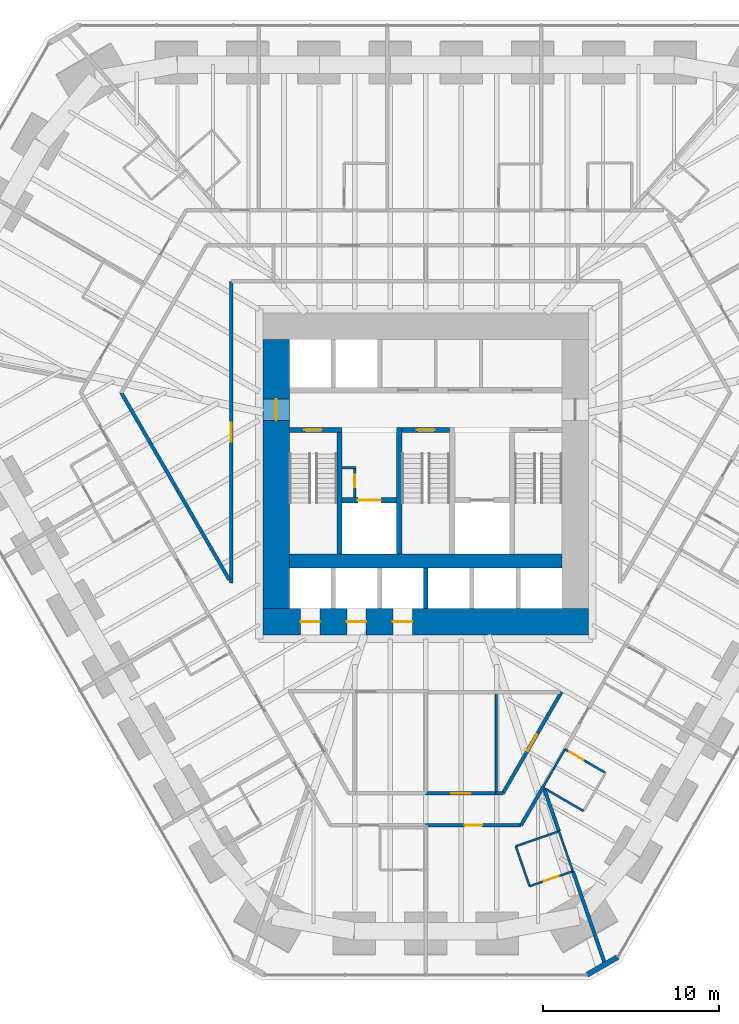
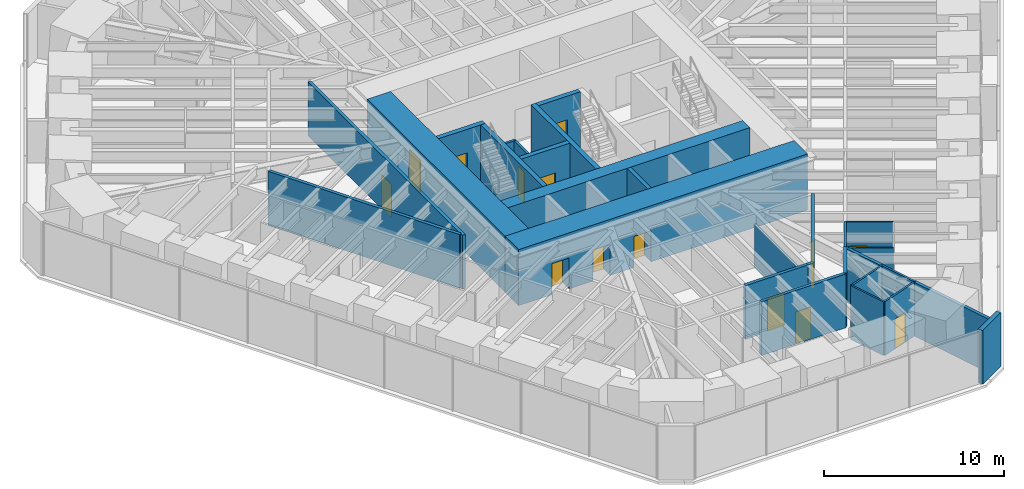
# One storey, part 12 of 17: 29 walls, 14 doors, 14 openings.
"""IFC4 building model written with IfcOpenShell, lengths in metres."""

from ifc_helpers import new_model, si_unit, direction, frame, frame_2d, origin, place, context, subcontext, project, spatial, rectangle, extrude, material, layer, layer_set, type_object, element, fill, save


model = new_model("IFC4")

# Units and contexts
model_context = context("Model", 3, precision=1e-05, world=origin(), true_north=direction((0.0, 1.0)))
body_context = subcontext(model_context, "Body", "Model", "MODEL_VIEW")
ifc_project = project(units=[si_unit("LENGTHUNIT", "METRE"), si_unit("AREAUNIT", "SQUARE_METRE"), si_unit("VOLUMEUNIT", "CUBIC_METRE"), si_unit("PLANEANGLEUNIT", "RADIAN"), si_unit("MASSUNIT", "GRAM", prefix="KILO")], contexts=[model_context])

# Site, building, storey
site_placement = place(None, origin())
site = spatial("IfcSite", under=ifc_project, at=site_placement, CompositionType="ELEMENT")
building_placement = place(site_placement, origin())
building = spatial("IfcBuilding", under=site, at=building_placement, Name="Sandreach Pilgrim Tower", CompositionType="ELEMENT")
storey_placement = place(building_placement, frame((0.0, 0.0, 80.0)))
storey = spatial("IfcBuildingStorey", under=building, at=storey_placement, Name="L19", CompositionType="ELEMENT", Elevation=80.0)

# Walls
ifc_material_1 = material(Name="Gypsum board on steel studs", Category="steel")
ifc_layer_1 = layer(ifc_material_1, 0.14990234375)
ifc_layer_set_1 = layer_set([ifc_layer_1], Name="Back of house wall 150")
wall_type_1 = type_object("IfcWallType", Name="Back of house wall 150", PredefinedType="PARTITIONING", material=ifc_layer_set_1)
wall_1_placement = place(storey_placement, frame((4.0, -13.949951171875, 0.0), z_axis=(0.0, 0.0, 1.0), x_axis=(0.0, -1.0, 0.0)))
element("IfcWall", 1, at=wall_1_placement, inside=storey, type_object=wall_type_1, Name="Back of house wall L19-082", PredefinedType="PARTITIONING", context=body_context, shape_type="SweptSolid", body=[
    extrude(rectangle(XDim=5.760009765625, YDim=0.14990234375, at=frame_2d((2.8798828125, 0.0))), origin(), (0.0, 0.0, 1.0), 2.8779296875),
])
ifc_material_2 = material(Name="Moisture-resistant gypsum board on steel studs", Category="steel")
ifc_layer_2 = layer(ifc_material_2, 0.1201171875)
ifc_layer_set_2 = layer_set([ifc_layer_2], Name="Bathroom partition 120")
wall_type_2 = type_object("IfcWallType", Name="Bathroom partition 120", PredefinedType="PARTITIONING", material=ifc_layer_set_2)
wall_2_placement = place(storey_placement, frame((5.1201171875, -22.7099609375, 0.0), z_axis=(0.0, 0.0, 1.0), x_axis=(0.324880771143, -0.945754981241, 0.0)))
element("IfcWall", 2, at=wall_2_placement, inside=storey, type_object=wall_type_2, Name="Bathroom partition L19-087", PredefinedType="PARTITIONING", context=body_context, shape_type="SweptSolid", body=[
    extrude(rectangle(XDim=2.400146484375, YDim=0.1201171875, at=frame_2d((1.2001953125, 0.0))), origin(), (0.0, 0.0, 1.0), 3.639892578125),
])

# Wall, opening, door
wall_3_placement = place(storey_placement, frame((5.89990234375, -24.97998046875, 0.0), z_axis=(0.0, 0.0, 1.0), x_axis=(0.945165466094, 0.326591857987, 0.0)))
wall_3 = element("IfcWall", 3, at=wall_3_placement, inside=storey, type_object=wall_type_2, Name="Bathroom partition L19-089", PredefinedType="PARTITIONING", context=body_context, shape_type="SweptSolid", body=[
    extrude(rectangle(XDim=2.60302734375, YDim=0.1201171875, at=frame_2d((1.301513671875, 0.0))), origin(), (0.0, 0.0, 1.0), 3.639892578125),
])
opening_1_placement = place(wall_3_placement, frame((0.85009765625, 0.0, 0.0)))
opening_1 = element("IfcOpeningElement", 4, at=opening_1_placement, cuts=wall_3, Name="Opening D09-11B", PredefinedType="OPENING", context=body_context, shape_type="SweptSolid", body=[
    extrude(rectangle(XDim=0.89990234375, YDim=2.030029296875, at=frame_2d((0.449951171875, 1.01513671875))), frame((0.0, 0.06005859375, 0.0), z_axis=(0.0, -1.0, 0.0), x_axis=(1.0, 0.0, 0.0)), (0.0, 0.0, 1.0), 0.1201171875),
])
ifc_material_3 = material(Name="Timber door, steel frame", Category="steel")
door_type_1 = type_object("IfcDoorType", Name="Bathroom door", OperationType="SINGLE_SWING_LEFT", PredefinedType="DOOR", material=ifc_material_3)
door_1_placement = place(opening_1_placement, origin())
door_1 = element("IfcDoor", 5, at=door_1_placement, inside=storey, type_object=door_type_1, Name="Door 1911B", OperationType="SINGLE_SWING_LEFT", OverallHeight=2.030029296875, OverallWidth=0.89990234375, PredefinedType="DOOR", context=body_context, shape_type="SweptSolid", body=[
    extrude(rectangle(XDim=0.89990234375, YDim=2.030029296875, at=frame_2d((0.449951171875, 1.01513671875))), frame((0.0, 0.02490234375, 0.0), z_axis=(0.0, -1.0, 0.0), x_axis=(1.0, 0.0, 0.0)), (0.0, 0.0, 1.0), 0.050048828125),
])
fill(opening_1, door_1)

# Walls
wall_4_placement = place(storey_placement, frame((6.68994140625, -19.31005859375, 0.0), z_axis=(0.0, 0.0, 1.0), x_axis=(0.500522890398, 0.865723302324, 0.0)))
element("IfcWall", 6, at=wall_4_placement, inside=storey, type_object=wall_type_2, Name="Bathroom partition L19-094", PredefinedType="PARTITIONING", context=body_context, shape_type="SweptSolid", body=[
    extrude(rectangle(XDim=2.4375, YDim=0.1201171875, at=frame_2d((1.21875, 0.0))), origin(), (0.0, 0.0, 1.0), 3.639892578125),
])
wall_5_placement = place(storey_placement, frame((6.807861328125, -19.455078125, 0.0), z_axis=(0.0, 0.0, 1.0), x_axis=(0.864881956308, -0.501975299844, 0.0)))
element("IfcWall", 7, at=wall_5_placement, inside=storey, type_object=wall_type_2, Name="Bathroom partition L19-095", PredefinedType="PARTITIONING", context=body_context, shape_type="SweptSolid", body=[
    extrude(rectangle(XDim=2.5, YDim=0.1201171875, at=frame_2d((1.25, 0.0))), origin(), (0.0, 0.0, 1.0), 3.639892578125),
])
wall_6_placement = place(storey_placement, frame((7.570068359375, -21.860107421875, 0.0), z_axis=(0.0, 0.0, 1.0), x_axis=(-0.944782191137, -0.327698964463, 0.0)))
element("IfcWall", 8, at=wall_6_placement, inside=storey, type_object=wall_type_2, Name="Bathroom partition L19-096", PredefinedType="PARTITIONING", context=body_context, shape_type="SweptSolid", body=[
    extrude(rectangle(XDim=2.593505859375, YDim=0.1201171875, at=frame_2d((1.296875, 0.0))), origin(), (0.0, 0.0, 1.0), 3.639892578125),
])
wall_7_placement = place(storey_placement, frame((7.570068359375, -21.860107421875, 0.0), z_axis=(0.0, 0.0, 1.0), x_axis=(0.328725498061, -0.944425511581, 0.0)))
element("IfcWall", 9, at=wall_7_placement, inside=storey, type_object=wall_type_2, Name="Bathroom partition L19-098", PredefinedType="PARTITIONING", context=body_context, shape_type="SweptSolid", body=[
    extrude(rectangle(XDim=2.4033203125, YDim=0.1201171875, at=frame_2d((1.20166015625, 0.0))), origin(), (0.0, 0.0, 1.0), 3.639892578125),
])

# Wall, opening, door
wall_8_placement = place(storey_placement, frame((10.219970703125, -18.5400390625, 0.0), z_axis=(0.0, 0.0, 1.0), x_axis=(-0.86498992408, 0.501789229896, 0.0)))
wall_8 = element("IfcWall", 10, at=wall_8_placement, inside=storey, type_object=wall_type_2, Name="Bathroom partition L19-110", PredefinedType="PARTITIONING", context=body_context, shape_type="SweptSolid", body=[
    extrude(rectangle(XDim=2.670654296875, YDim=0.1201171875, at=frame_2d((1.33544921875, 0.0))), origin(), (0.0, 0.0, 1.0), 3.639892578125),
])
opening_2_placement = place(wall_8_placement, frame((1.470458984375, 0.0, 0.0)))
opening_2 = element("IfcOpeningElement", 11, at=opening_2_placement, cuts=wall_8, Name="Opening D09-10B", PredefinedType="OPENING", context=body_context, shape_type="SweptSolid", body=[
    extrude(rectangle(XDim=0.89990234375, YDim=2.030029296875, at=frame_2d((0.449951171875, 1.01513671875))), frame((0.0, 0.06005859375, 0.0), z_axis=(0.0, -1.0, 0.0), x_axis=(1.0, 0.0, 0.0)), (0.0, 0.0, 1.0), 0.1201171875),
])
door_2_placement = place(opening_2_placement, origin())
door_2 = element("IfcDoor", 12, at=door_2_placement, inside=storey, type_object=door_type_1, Name="Door 1910B", OperationType="SINGLE_SWING_RIGHT", OverallHeight=2.030029296875, OverallWidth=0.89990234375, PredefinedType="DOOR", context=body_context, shape_type="SweptSolid", body=[
    extrude(rectangle(XDim=0.89990234375, YDim=2.030029296875, at=frame_2d((0.449951171875, 1.01513671875))), frame((0.0, 0.02490234375, 0.0), z_axis=(0.0, -1.0, 0.0), x_axis=(1.0, 0.0, 0.0)), (0.0, 0.0, 1.0), 0.050048828125),
])
fill(opening_2, door_2)

# Walls
ifc_material_4 = material(Name="Concrete 10000 psi", Category="concrete")
ifc_layer_3 = layer(ifc_material_4, 0.300048828125)
ifc_layer_set_3 = layer_set([ifc_layer_3], Name="Core inner wall 300")
wall_type_3 = type_object("IfcWallType", Name="Core inner wall 300", PredefinedType="SHEAR", material=ifc_layer_set_3)
for number, where, z_axis, x_axis, name in (
    (13, (-4.89990234375, -6.10009765625, 0.0), (0.0, 0.0, 1.0), (0.0, 1.0, 0.0), "Core wall I0 L19"),
    (14, (-1.5, -6.10009765625, 0.0), (0.0, 0.0, 1.0), (0.0, 1.0, 0.0), "Core wall I1 L19"),
):
    element("IfcWall", number, at=place(storey_placement, frame(where, z_axis=z_axis, x_axis=x_axis)), inside=storey, type_object=wall_type_3, Name=name, PredefinedType="SHEAR", context=body_context, shape_type="SweptSolid", body=[
        extrude(rectangle(XDim=7.2001953125, YDim=0.300048828125, at=frame_2d((3.60009765625, 0.0))), origin(), (0.0, 0.0, 1.0), 3.800048828125),
    ])

# Wall, opening, door
wall_9_placement = place(storey_placement, frame((-7.75, 0.949951171875, 0.0), z_axis=(0.0, 0.0, 1.0), x_axis=(1.0, 0.0, 0.0)))
wall_9 = element("IfcWall", 15, at=wall_9_placement, inside=storey, type_object=wall_type_3, Name="Core wall SN1 L19", PredefinedType="SHEAR", context=body_context, shape_type="SweptSolid", body=[
    extrude(rectangle(XDim=3.0, YDim=0.300048828125, at=frame_2d((1.5, 0.0))), origin(), (0.0, 0.0, 1.0), 3.800048828125),
])
opening_3_placement = place(wall_9_placement, frame((0.85009765625, 0.0, 0.0)))
opening_3 = element("IfcOpeningElement", 16, at=opening_3_placement, cuts=wall_9, Name="Opening D10S-ST1", PredefinedType="OPENING", context=body_context, shape_type="SweptSolid", body=[
    extrude(rectangle(XDim=1.0, YDim=2.199951171875, at=frame_2d((0.5, 1.10009765625))), frame((0.0, 0.14990234375, 0.0), z_axis=(0.0, -1.0, 0.0), x_axis=(1.0, 0.0, 0.0)), (0.0, 0.0, 1.0), 0.300048828125),
])
ifc_material_5 = material(Name="Steel door and frame", Category="steel")
door_type_2 = type_object("IfcDoorType", Name="Stair door", OperationType="SINGLE_SWING_LEFT", PredefinedType="DOOR", material=ifc_material_5)
door_3_placement = place(opening_3_placement, origin())
door_3 = element("IfcDoor", 17, at=door_3_placement, inside=storey, type_object=door_type_2, Name="Stair door ST1 L19", OperationType="SINGLE_SWING_LEFT", OverallHeight=2.199951171875, OverallWidth=1.0, PredefinedType="DOOR", context=body_context, shape_type="SweptSolid", body=[
    extrude(rectangle(XDim=1.0, YDim=2.199951171875, at=frame_2d((0.5, 1.10009765625))), frame((0.0, 0.02490234375, 0.0), z_axis=(0.0, -1.0, 0.0), x_axis=(1.0, 0.0, 0.0)), (0.0, 0.0, 1.0), 0.050048828125),
])
fill(opening_3, door_3)

wall_10_placement = place(storey_placement, frame((-1.35009765625, 0.949951171875, 0.0), z_axis=(0.0, 0.0, 1.0), x_axis=(1.0, 0.0, 0.0)))
wall_10 = element("IfcWall", 18, at=wall_10_placement, inside=storey, type_object=wall_type_3, Name="Core wall SN3 L19", PredefinedType="SHEAR", context=body_context, shape_type="SweptSolid", body=[
    extrude(rectangle(XDim=2.7001953125, YDim=0.300048828125, at=frame_2d((1.35009765625, 0.0))), origin(), (0.0, 0.0, 1.0), 3.800048828125),
])
opening_4_placement = place(wall_10_placement, frame((0.85009765625, 0.0, 0.0)))
opening_4 = element("IfcOpeningElement", 19, at=opening_4_placement, cuts=wall_10, Name="Opening D10S-ST3", PredefinedType="OPENING", context=body_context, shape_type="SweptSolid", body=[
    extrude(rectangle(XDim=1.0, YDim=2.199951171875, at=frame_2d((0.5, 1.10009765625))), frame((0.0, 0.14990234375, 0.0), z_axis=(0.0, -1.0, 0.0), x_axis=(1.0, 0.0, 0.0)), (0.0, 0.0, 1.0), 0.300048828125),
])
door_4_placement = place(opening_4_placement, origin())
door_4 = element("IfcDoor", 20, at=door_4_placement, inside=storey, type_object=door_type_2, Name="Stair door ST3 L19", OperationType="SINGLE_SWING_LEFT", OverallHeight=2.199951171875, OverallWidth=1.0, PredefinedType="DOOR", context=body_context, shape_type="SweptSolid", body=[
    extrude(rectangle(XDim=1.0, YDim=2.199951171875, at=frame_2d((0.5, 1.10009765625))), frame((0.0, 0.02490234375, 0.0), z_axis=(0.0, -1.0, 0.0), x_axis=(1.0, 0.0, 0.0)), (0.0, 0.0, 1.0), 0.050048828125),
])
fill(opening_4, door_4)

wall_11_placement = place(storey_placement, frame((-4.75, -3.050048828125, 0.0), z_axis=(0.0, 0.0, 1.0), x_axis=(1.0, 0.0, 0.0)))
wall_11 = element("IfcWall", 21, at=wall_11_placement, inside=storey, type_object=wall_type_3, Name="Core wall FL1 L19", PredefinedType="SHEAR", context=body_context, shape_type="SweptSolid", body=[
    extrude(rectangle(XDim=3.10009765625, YDim=0.300048828125, at=frame_2d((1.550048828125, 0.0))), origin(), (0.0, 0.0, 1.0), 3.800048828125),
])
opening_5_placement = place(wall_11_placement, frame((0.89990234375, 0.0, 0.0)))
opening_5 = element("IfcOpeningElement", 22, at=opening_5_placement, cuts=wall_11, Name="Opening LD13", PredefinedType="OPENING", context=body_context, shape_type="SweptSolid", body=[
    extrude(rectangle(XDim=1.300048828125, YDim=2.10009765625, at=frame_2d((0.64990234375, 1.050048828125))), frame((0.0, 0.14990234375, 0.0), z_axis=(0.0, -1.0, 0.0), x_axis=(1.0, 0.0, 0.0)), (0.0, 0.0, 1.0), 0.300048828125),
])
ifc_material_6 = material(Name="Steel door and frame", Category="steel")
door_type_3 = type_object("IfcDoorType", Name="Fire service lift landing door", OperationType="DOUBLE_DOOR_SLIDING", PredefinedType="DOOR", material=ifc_material_6)
door_5_placement = place(opening_5_placement, origin())
door_5 = element("IfcDoor", 23, at=door_5_placement, inside=storey, type_object=door_type_3, Name="Lift landing door FS1 L19", OperationType="DOUBLE_DOOR_SLIDING", OverallHeight=2.10009765625, OverallWidth=1.300048828125, PredefinedType="DOOR", context=body_context, shape_type="SweptSolid", body=[
    extrude(rectangle(XDim=1.300048828125, YDim=2.10009765625, at=frame_2d((0.64990234375, 1.050048828125))), frame((0.0, 0.02490234375, 0.0), z_axis=(0.0, -1.0, 0.0), x_axis=(1.0, 0.0, 0.0)), (0.0, 0.0, 1.0), 0.050048828125),
])
fill(opening_5, door_5)

# Wall
ifc_material_7 = material(Name="Concrete 10000 psi", Category="concrete")
ifc_layer_4 = layer(ifc_material_7, 0.800048828125)
ifc_layer_set_4 = layer_set([ifc_layer_4], Name="Core mid wall 800")
wall_type_4 = type_object("IfcWallType", Name="Core mid wall 800", PredefinedType="SHEAR", material=ifc_layer_set_4)
wall_12_placement = place(storey_placement, frame((-7.75, -6.5, 0.0), z_axis=(0.0, 0.0, 1.0), x_axis=(1.0, 0.0, 0.0)))
element("IfcWall", 24, at=wall_12_placement, inside=storey, type_object=wall_type_4, Name="Core wall M L19", PredefinedType="SHEAR", context=body_context, shape_type="SweptSolid", body=[
    extrude(rectangle(XDim=15.5, YDim=0.800048828125, at=frame_2d((7.75, 0.0))), origin(), (0.0, 0.0, 1.0), 3.800048828125),
])

# Wall, openings, doors
ifc_material_8 = material(Name="Concrete 10000 psi", Category="concrete")
ifc_layer_5 = layer(ifc_material_8, 1.5)
ifc_layer_set_5 = layer_set([ifc_layer_5], Name="Core wall 1500")
wall_type_5 = type_object("IfcWallType", Name="Core wall 1500", PredefinedType="SHEAR", material=ifc_layer_set_5)
wall_13_placement = place(storey_placement, frame((-9.25, -9.949951171875, 0.0), z_axis=(0.0, 0.0, 1.0), x_axis=(1.0, 0.0, 0.0)))
wall_13 = element("IfcWall", 25, at=wall_13_placement, inside=storey, type_object=wall_type_5, Name="Core wall S L19", PredefinedType="SHEAR", context=body_context, shape_type="SweptSolid", body=[
    extrude(rectangle(XDim=18.5, YDim=1.5, at=frame_2d((9.25, 0.0))), origin(), (0.0, 0.0, 1.0), 3.800048828125),
])
opening_6_placement = place(wall_13_placement, frame((2.137451171875, 0.0, 0.0)))
opening_6 = element("IfcOpeningElement", 26, at=opening_6_placement, cuts=wall_13, Name="Opening LD11", PredefinedType="OPENING", context=body_context, shape_type="SweptSolid", body=[
    extrude(rectangle(XDim=1.10009765625, YDim=2.10009765625, at=frame_2d((0.550048828125, 1.050048828125))), frame((0.0, 0.75, 0.0), z_axis=(0.0, -1.0, 0.0), x_axis=(1.0, 0.0, 0.0)), (0.0, 0.0, 1.0), 1.5),
])
opening_7_placement = place(wall_13_placement, frame((4.762451171875, 0.0, 0.0)))
opening_7 = element("IfcOpeningElement", 27, at=opening_7_placement, cuts=wall_13, Name="Opening LD11", PredefinedType="OPENING", context=body_context, shape_type="SweptSolid", body=[
    extrude(rectangle(XDim=1.10009765625, YDim=2.10009765625, at=frame_2d((0.550048828125, 1.050048828125))), frame((0.0, 0.75, 0.0), z_axis=(0.0, -1.0, 0.0), x_axis=(1.0, 0.0, 0.0)), (0.0, 0.0, 1.0), 1.5),
])
opening_8_placement = place(wall_13_placement, frame((7.387451171875, 0.0, 0.0)))
opening_8 = element("IfcOpeningElement", 28, at=opening_8_placement, cuts=wall_13, Name="Opening LD11", PredefinedType="OPENING", context=body_context, shape_type="SweptSolid", body=[
    extrude(rectangle(XDim=1.10009765625, YDim=2.10009765625, at=frame_2d((0.550048828125, 1.050048828125))), frame((0.0, 0.75, 0.0), z_axis=(0.0, -1.0, 0.0), x_axis=(1.0, 0.0, 0.0)), (0.0, 0.0, 1.0), 1.5),
])
ifc_material_9 = material(Name="Steel door and frame", Category="steel")
door_type_4 = type_object("IfcDoorType", Name="Lift landing door", OperationType="DOUBLE_DOOR_SLIDING", PredefinedType="DOOR", material=ifc_material_9)
door_6_placement = place(opening_6_placement, origin())
door_6 = element("IfcDoor", 29, at=door_6_placement, inside=storey, type_object=door_type_4, Name="Lift landing door Z1A L19", OperationType="DOUBLE_DOOR_SLIDING", OverallHeight=2.10009765625, OverallWidth=1.10009765625, PredefinedType="DOOR", context=body_context, shape_type="SweptSolid", body=[
    extrude(rectangle(XDim=1.10009765625, YDim=2.10009765625, at=frame_2d((0.550048828125, 1.050048828125))), frame((0.0, 0.02490234375, 0.0), z_axis=(0.0, -1.0, 0.0), x_axis=(1.0, 0.0, 0.0)), (0.0, 0.0, 1.0), 0.050048828125),
])
fill(opening_6, door_6)
door_7_placement = place(opening_7_placement, origin())
door_7 = element("IfcDoor", 30, at=door_7_placement, inside=storey, type_object=door_type_4, Name="Lift landing door Z1B L19", OperationType="DOUBLE_DOOR_SLIDING", OverallHeight=2.10009765625, OverallWidth=1.10009765625, PredefinedType="DOOR", context=body_context, shape_type="SweptSolid", body=[
    extrude(rectangle(XDim=1.10009765625, YDim=2.10009765625, at=frame_2d((0.550048828125, 1.050048828125))), frame((0.0, 0.02490234375, 0.0), z_axis=(0.0, -1.0, 0.0), x_axis=(1.0, 0.0, 0.0)), (0.0, 0.0, 1.0), 0.050048828125),
])
fill(opening_7, door_7)
door_8_placement = place(opening_8_placement, origin())
door_8 = element("IfcDoor", 31, at=door_8_placement, inside=storey, type_object=door_type_4, Name="Lift landing door Z1C L19", OperationType="DOUBLE_DOOR_SLIDING", OverallHeight=2.10009765625, OverallWidth=1.10009765625, PredefinedType="DOOR", context=body_context, shape_type="SweptSolid", body=[
    extrude(rectangle(XDim=1.10009765625, YDim=2.10009765625, at=frame_2d((0.550048828125, 1.050048828125))), frame((0.0, 0.02490234375, 0.0), z_axis=(0.0, -1.0, 0.0), x_axis=(1.0, 0.0, 0.0)), (0.0, 0.0, 1.0), 0.050048828125),
])
fill(opening_8, door_8)

# Wall, opening, door
wall_14_placement = place(storey_placement, frame((-8.5, -9.199951171875, 0.0), z_axis=(0.0, 0.0, 1.0), x_axis=(0.0, 1.0, 0.0)))
wall_14 = element("IfcWall", 32, at=wall_14_placement, inside=storey, type_object=wall_type_5, Name="Core wall W L19", PredefinedType="SHEAR", context=body_context, shape_type="SweptSolid", body=[
    extrude(rectangle(XDim=15.300048828125, YDim=1.5, at=frame_2d((7.64990234375, 0.0))), origin(), (0.0, 0.0, 1.0), 3.800048828125),
])
opening_9_placement = place(wall_14_placement, frame((10.699951171875, 0.0, 0.0)))
opening_9 = element("IfcOpeningElement", 33, at=opening_9_placement, cuts=wall_14, Name="Opening D12F-W", PredefinedType="OPENING", context=body_context, shape_type="SweptSolid", body=[
    extrude(rectangle(XDim=1.199951171875, YDim=2.199951171875, at=frame_2d((0.60009765625, 1.10009765625))), frame((0.0, 0.75, 0.0), z_axis=(0.0, -1.0, 0.0), x_axis=(1.0, 0.0, 0.0)), (0.0, 0.0, 1.0), 1.5),
])
ifc_material_10 = material(Name="Steel door and frame", Category="steel")
door_type_5 = type_object("IfcDoorType", Name="Fire lobby door", OperationType="SINGLE_SWING_LEFT", PredefinedType="DOOR", material=ifc_material_10)
door_9_placement = place(opening_9_placement, origin())
door_9 = element("IfcDoor", 34, at=door_9_placement, inside=storey, type_object=door_type_5, Name="Fire service lobby door W L19", OperationType="SINGLE_SWING_RIGHT", OverallHeight=2.199951171875, OverallWidth=1.199951171875, PredefinedType="DOOR", context=body_context, shape_type="SweptSolid", body=[
    extrude(rectangle(XDim=1.199951171875, YDim=2.199951171875, at=frame_2d((0.60009765625, 1.10009765625))), frame((0.0, 0.02490234375, 0.0), z_axis=(0.0, -1.0, 0.0), x_axis=(1.0, 0.0, 0.0)), (0.0, 0.0, 1.0), 0.050048828125),
])
fill(opening_9, door_9)

# Wall
ifc_material_11 = material(Name="Gypsum board on steel studs, two layers each side", Category="steel")
ifc_layer_6 = layer(ifc_material_11, 0.199951171875)
ifc_layer_set_6 = layer_set([ifc_layer_6], Name="Corridor wall 200")
wall_type_6 = type_object("IfcWallType", Name="Corridor wall 200", PredefinedType="PARTITIONING", material=ifc_layer_set_6)
wall_15_placement = place(storey_placement, frame((-11.16015625, -7.569580078125, 0.0), z_axis=(0.0, 0.0, 1.0), x_axis=(-0.500175206663, 0.865924224537, 0.0)))
element("IfcWall", 35, at=wall_15_placement, inside=storey, type_object=wall_type_6, Name="Corridor wall L19-043", PredefinedType="PARTITIONING", context=body_context, shape_type="SweptSolid", body=[
    extrude(rectangle(XDim=12.275390625, YDim=0.199951171875, at=frame_2d((6.1376953125, 0.0))), origin(), (0.0, 0.0, 1.0), 3.639892578125),
])

# Wall, opening, door
wall_16_placement = place(storey_placement, frame((-11.050048828125, 9.39990234375, 0.0), z_axis=(0.0, 0.0, 1.0), x_axis=(0.0, -1.0, 0.0)))
wall_16 = element("IfcWall", 36, at=wall_16_placement, inside=storey, type_object=wall_type_6, Name="Corridor wall L19-045", PredefinedType="PARTITIONING", context=body_context, shape_type="SweptSolid", body=[
    extrude(rectangle(XDim=17.159912109375, YDim=0.199951171875, at=frame_2d((8.580078125, 0.0))), origin(), (0.0, 0.0, 1.0), 3.639892578125),
])
opening_10_placement = place(wall_16_placement, frame((8.030029296875, 0.0, 0.0)))
opening_10 = element("IfcOpeningElement", 37, at=opening_10_placement, cuts=wall_16, Name="Opening D11H-M01", PredefinedType="OPENING", context=body_context, shape_type="SweptSolid", body=[
    extrude(rectangle(XDim=1.10009765625, YDim=2.199951171875, at=frame_2d((0.550048828125, 1.10009765625))), frame((0.0, 0.10009765625, 0.0), z_axis=(0.0, -1.0, 0.0), x_axis=(1.0, 0.0, 0.0)), (0.0, 0.0, 1.0), 0.199951171875),
])
ifc_material_12 = material(Name="Steel door and frame", Category="steel")
door_type_6 = type_object("IfcDoorType", Name="Back of house door", OperationType="SINGLE_SWING_LEFT", PredefinedType="DOOR", material=ifc_material_12)
door_10_placement = place(opening_10_placement, origin())
door_10 = element("IfcDoor", 38, at=door_10_placement, inside=storey, type_object=door_type_6, Name="Door 19M01", OperationType="SINGLE_SWING_LEFT", OverallHeight=2.199951171875, OverallWidth=1.10009765625, PredefinedType="DOOR", context=body_context, shape_type="SweptSolid", body=[
    extrude(rectangle(XDim=1.10009765625, YDim=2.199951171875, at=frame_2d((0.550048828125, 1.10009765625))), frame((0.0, 0.02490234375, 0.0), z_axis=(0.0, -1.0, 0.0), x_axis=(1.0, 0.0, 0.0)), (0.0, 0.0, 1.0), 0.050048828125),
])
fill(opening_10, door_10)

wall_17_placement = place(storey_placement, frame((0.0, -21.510009765625, 0.0), z_axis=(0.0, 0.0, 1.0), x_axis=(1.0, 0.0, 0.0)))
wall_17 = element("IfcWall", 39, at=wall_17_placement, inside=storey, type_object=wall_type_6, Name="Corridor wall L19-073", PredefinedType="PARTITIONING", context=body_context, shape_type="SweptSolid", body=[
    extrude(rectangle(XDim=5.419921875, YDim=0.199951171875, at=frame_2d((2.7099609375, 0.0))), origin(), (0.0, 0.0, 1.0), 3.639892578125),
])
opening_11_placement = place(wall_17_placement, frame((2.2099609375, 0.0, 0.0)))
opening_11 = element("IfcOpeningElement", 40, at=opening_11_placement, cuts=wall_17, Name="Opening D10-11", PredefinedType="OPENING", context=body_context, shape_type="SweptSolid", body=[
    extrude(rectangle(XDim=1.0, YDim=2.1298828125, at=frame_2d((0.5, 1.06494140625))), frame((0.0, 0.10009765625, 0.0), z_axis=(0.0, -1.0, 0.0), x_axis=(1.0, 0.0, 0.0)), (0.0, 0.0, 1.0), 0.199951171875),
])
ifc_material_13 = material(Name="Steel door and frame", Category="steel")
door_type_7 = type_object("IfcDoorType", Name="Guest room entry door", OperationType="SINGLE_SWING_LEFT", PredefinedType="DOOR", material=ifc_material_13)
door_11_placement = place(opening_11_placement, origin())
door_11 = element("IfcDoor", 41, at=door_11_placement, inside=storey, type_object=door_type_7, Name="Door 1911", OperationType="SINGLE_SWING_LEFT", OverallHeight=2.1298828125, OverallWidth=1.0, PredefinedType="DOOR", context=body_context, shape_type="SweptSolid", body=[
    extrude(rectangle(XDim=1.0, YDim=2.1298828125, at=frame_2d((0.5, 1.06494140625))), frame((0.0, 0.02490234375, 0.0), z_axis=(0.0, -1.0, 0.0), x_axis=(1.0, 0.0, 0.0)), (0.0, 0.0, 1.0), 0.050048828125),
])
fill(opening_11, door_11)

wall_18_placement = place(storey_placement, frame((4.0, -19.7099609375, 0.0), z_axis=(0.0, 0.0, 1.0), x_axis=(-1.0, 0.0, 0.0)))
wall_18 = element("IfcWall", 42, at=wall_18_placement, inside=storey, type_object=wall_type_6, Name="Corridor wall L19-081", PredefinedType="PARTITIONING", context=body_context, shape_type="SweptSolid", body=[
    extrude(rectangle(XDim=4.0, YDim=0.199951171875, at=frame_2d((2.0, 0.0))), origin(), (0.0, 0.0, 1.0), 3.639892578125),
])
opening_12_placement = place(wall_18_placement, frame((1.449951171875, 0.0, 0.0)))
opening_12 = element("IfcOpeningElement", 43, at=opening_12_placement, cuts=wall_18, Name="Opening D11H-S3", PredefinedType="OPENING", context=body_context, shape_type="SweptSolid", body=[
    extrude(rectangle(XDim=1.10009765625, YDim=2.199951171875, at=frame_2d((0.550048828125, 1.10009765625))), frame((0.0, 0.10009765625, 0.0), z_axis=(0.0, -1.0, 0.0), x_axis=(1.0, 0.0, 0.0)), (0.0, 0.0, 1.0), 0.199951171875),
])
door_12_placement = place(opening_12_placement, origin())
door_12 = element("IfcDoor", 44, at=door_12_placement, inside=storey, type_object=door_type_6, Name="Door 19S3", OperationType="SINGLE_SWING_LEFT", OverallHeight=2.199951171875, OverallWidth=1.10009765625, PredefinedType="DOOR", context=body_context, shape_type="SweptSolid", body=[
    extrude(rectangle(XDim=1.10009765625, YDim=2.199951171875, at=frame_2d((0.550048828125, 1.10009765625))), frame((0.0, 0.02490234375, 0.0), z_axis=(0.0, -1.0, 0.0), x_axis=(1.0, 0.0, 0.0)), (0.0, 0.0, 1.0), 0.050048828125),
])
fill(opening_12, door_12)

# Walls
wall_19_placement = place(storey_placement, frame((4.3798828125, -19.7099609375, 0.0), z_axis=(0.0, 0.0, 1.0), x_axis=(-1.0, 0.0, 0.0)))
element("IfcWall", 45, at=wall_19_placement, inside=storey, type_object=wall_type_6, Name="Corridor wall L19-086", PredefinedType="PARTITIONING", context=body_context, shape_type="SweptSolid", body=[
    extrude(rectangle(XDim=0.3798828125, YDim=0.199951171875, at=frame_2d((0.18994140625, 0.0))), origin(), (0.0, 0.0, 1.0), 3.639892578125),
])
wall_20_placement = place(storey_placement, frame((5.419921875, -21.510009765625, 0.0), z_axis=(0.0, 0.0, 1.0), x_axis=(0.499963722229, 0.866046347752, 0.0)))
element("IfcWall", 46, at=wall_20_placement, inside=storey, type_object=wall_type_6, Name="Corridor wall L19-088", PredefinedType="PARTITIONING", context=body_context, shape_type="SweptSolid", body=[
    extrude(rectangle(XDim=2.540283203125, YDim=0.199951171875, at=frame_2d((1.27001953125, 0.0))), origin(), (0.0, 0.0, 1.0), 3.639892578125),
])

# Wall, opening, door
wall_21_placement = place(storey_placement, frame((7.7099609375, -13.949951171875, 0.0), z_axis=(0.0, 0.0, 1.0), x_axis=(-0.500511113963, -0.865730110831, 0.0)))
wall_21 = element("IfcWall", 47, at=wall_21_placement, inside=storey, type_object=wall_type_6, Name="Corridor wall L19-099", PredefinedType="PARTITIONING", context=body_context, shape_type="SweptSolid", body=[
    extrude(rectangle(XDim=6.6533203125, YDim=0.199951171875, at=frame_2d((3.32666015625, 0.0))), origin(), (0.0, 0.0, 1.0), 3.639892578125),
])
opening_13_placement = place(wall_21_placement, frame((2.776611328125, 0.0, 0.0)))
opening_13 = element("IfcOpeningElement", 48, at=opening_13_placement, cuts=wall_21, Name="Opening D11H-S4", PredefinedType="OPENING", context=body_context, shape_type="SweptSolid", body=[
    extrude(rectangle(XDim=1.10009765625, YDim=2.199951171875, at=frame_2d((0.550048828125, 1.10009765625))), frame((0.0, 0.10009765625, 0.0), z_axis=(0.0, -1.0, 0.0), x_axis=(1.0, 0.0, 0.0)), (0.0, 0.0, 1.0), 0.199951171875),
])
door_13_placement = place(opening_13_placement, origin())
door_13 = element("IfcDoor", 49, at=door_13_placement, inside=storey, type_object=door_type_6, Name="Door 19S4", OperationType="SINGLE_SWING_LEFT", OverallHeight=2.199951171875, OverallWidth=1.10009765625, PredefinedType="DOOR", context=body_context, shape_type="SweptSolid", body=[
    extrude(rectangle(XDim=1.10009765625, YDim=2.199951171875, at=frame_2d((0.550048828125, 1.10009765625))), frame((0.0, 0.02490234375, 0.0), z_axis=(0.0, -1.0, 0.0), x_axis=(1.0, 0.0, 0.0)), (0.0, 0.0, 1.0), 0.050048828125),
])
fill(opening_13, door_13)

# Walls
ifc_material_14 = material(Name="Double steel stud acoustic wall, gypsum board", Category="steel")
ifc_layer_7 = layer(ifc_material_14, 0.199951171875)
ifc_layer_set_7 = layer_set([ifc_layer_7], Name="Party wall 200")
wall_type_7 = type_object("IfcWallType", Name="Party wall 200", PredefinedType="PARTITIONING", material=ifc_layer_set_7)
wall_22_placement = place(storey_placement, frame((7.570068359375, -21.860107421875, 0.0), z_axis=(0.0, 0.0, 1.0), x_axis=(-0.327782990589, 0.944753042377, 0.0)))
element("IfcWall", 50, at=wall_22_placement, inside=storey, type_object=wall_type_7, Name="Party wall L19-097", PredefinedType="PARTITIONING", context=body_context, shape_type="SweptSolid", body=[
    extrude(rectangle(XDim=2.593505859375, YDim=0.199951171875, at=frame_2d((1.296875, 0.0))), origin(), (0.0, 0.0, 1.0), 3.639892578125),
])
wall_23_placement = place(storey_placement, frame((8.360107421875, -24.1298828125, 0.0), z_axis=(0.0, 0.0, 1.0), x_axis=(0.327332811485, -0.944909112309, 0.0)))
element("IfcWall", 51, at=wall_23_placement, inside=storey, type_object=wall_type_7, Name="Party wall L19-101", PredefinedType="PARTITIONING", context=body_context, shape_type="SweptSolid", body=[
    extrude(rectangle(XDim=5.621337890625, YDim=0.199951171875, at=frame_2d((2.810546875, 0.0))), origin(), (0.0, 0.0, 1.0), 3.639892578125),
])

# Wall, opening, door
ifc_material_15 = material(Name="Gypsum shaft wall on steel studs, shaft liner board", Category="steel")
ifc_layer_8 = layer(ifc_material_15, 0.14990234375)
ifc_layer_set_8 = layer_set([ifc_layer_8], Name="Riser shaft wall 150")
wall_type_8 = type_object("IfcWallType", Name="Riser shaft wall 150", PredefinedType="PARTITIONING", material=ifc_layer_set_8)
wall_24_placement = place(storey_placement, frame((-4.02490234375, -2.89990234375, 0.0), z_axis=(0.0, 0.0, 1.0), x_axis=(0.0, 1.0, 0.0)))
wall_24 = element("IfcWall", 52, at=wall_24_placement, inside=storey, type_object=wall_type_8, Name="Riser partition L19 side", PredefinedType="PARTITIONING", context=body_context, shape_type="SweptSolid", body=[
    extrude(rectangle(XDim=1.77490234375, YDim=0.14990234375, at=frame_2d((0.887451171875, 0.0))), origin(), (0.0, 0.0, 1.0), 3.639892578125),
])
opening_14_placement = place(wall_24_placement, frame((0.60009765625, 0.0, 0.0)))
opening_14 = element("IfcOpeningElement", 53, at=opening_14_placement, cuts=wall_24, Name="Opening D07R", PredefinedType="OPENING", context=body_context, shape_type="SweptSolid", body=[
    extrude(rectangle(XDim=0.699951171875, YDim=2.10009765625, at=frame_2d((0.35009765625, 1.050048828125))), frame((0.0, 0.074951171875, 0.0), z_axis=(0.0, -1.0, 0.0), x_axis=(1.0, 0.0, 0.0)), (0.0, 0.0, 1.0), 0.14990234375),
])
ifc_material_16 = material(Name="Steel door and frame, smoke seals", Category="steel")
door_type_8 = type_object("IfcDoorType", Name="Riser access door", OperationType="SINGLE_SWING_RIGHT", PredefinedType="DOOR", material=ifc_material_16)
door_14_placement = place(opening_14_placement, origin())
door_14 = element("IfcDoor", 54, at=door_14_placement, inside=storey, type_object=door_type_8, Name="Door riser 19ER", OperationType="SINGLE_SWING_RIGHT", OverallHeight=2.10009765625, OverallWidth=0.699951171875, PredefinedType="DOOR", context=body_context, shape_type="SweptSolid", body=[
    extrude(rectangle(XDim=0.699951171875, YDim=2.10009765625, at=frame_2d((0.35009765625, 1.050048828125))), frame((0.0, 0.02490234375, 0.0), z_axis=(0.0, -1.0, 0.0), x_axis=(1.0, 0.0, 0.0)), (0.0, 0.0, 1.0), 0.050048828125),
])
fill(opening_14, door_14)

# Walls
wall_25_placement = place(storey_placement, frame((-4.75, -1.199951171875, 0.0), z_axis=(0.0, 0.0, 1.0), x_axis=(1.0, 0.0, 0.0)))
element("IfcWall", 55, at=wall_25_placement, inside=storey, type_object=wall_type_8, Name="Riser partition L19 front", PredefinedType="PARTITIONING", context=body_context, shape_type="SweptSolid", body=[
    extrude(rectangle(XDim=0.800048828125, YDim=0.14990234375, at=frame_2d((0.39990234375, 0.0))), origin(), (0.0, 0.0, 1.0), 3.639892578125),
])
ifc_material_17 = material(Name="Gypsum shaft wall on steel studs, two layers of shaft liner board", Category="steel")
ifc_layer_9 = layer(ifc_material_17, 0.25)
ifc_layer_set_9 = layer_set([ifc_layer_9], Name="Shaft partition 250")
wall_type_9 = type_object("IfcWallType", Name="Shaft partition 250", PredefinedType="PARTITIONING", material=ifc_layer_set_9)
wall_26_placement = place(storey_placement, frame((0.0, -9.199951171875, 0.0), z_axis=(0.0, 0.0, 1.0), x_axis=(0.0, 1.0, 0.0)))
element("IfcWall", 56, at=wall_26_placement, inside=storey, type_object=wall_type_9, Name="Shaft partition XS2 L19", PredefinedType="PARTITIONING", context=body_context, shape_type="SweptSolid", body=[
    extrude(rectangle(XDim=2.300048828125, YDim=0.25, at=frame_2d((1.14990234375, 0.0))), origin(), (0.0, 0.0, 1.0), 3.800048828125),
])
ifc_material_18 = material(Name="Terracotta rainscreen on concrete", Category="masonry")
ifc_layer_10 = layer(ifc_material_18, 0.300048828125)
ifc_layer_set_10 = layer_set([ifc_layer_10], Name="Terracotta chamfer pier")
wall_type_10 = type_object("IfcWallType", Name="Terracotta chamfer pier", PredefinedType="SOLIDWALL", material=ifc_layer_set_10)
wall_27_placement = place(storey_placement, frame((10.904052734375, -29.010986328125, 0.0), z_axis=(0.0, 0.0, 1.0), x_axis=(-0.866010750942, -0.50002537861, 0.0)))
element("IfcWall", 57, at=wall_27_placement, inside=storey, type_object=wall_type_10, Name="Chamfer pier L19 SE", PredefinedType="SOLIDWALL", context=body_context, shape_type="SweptSolid", body=[
    extrude(rectangle(XDim=2.0, YDim=0.300048828125, at=frame_2d((1.0, 0.0))), origin(), (0.0, 0.0, 1.0), 3.639892578125),
])

save(model, "model.ifc")
